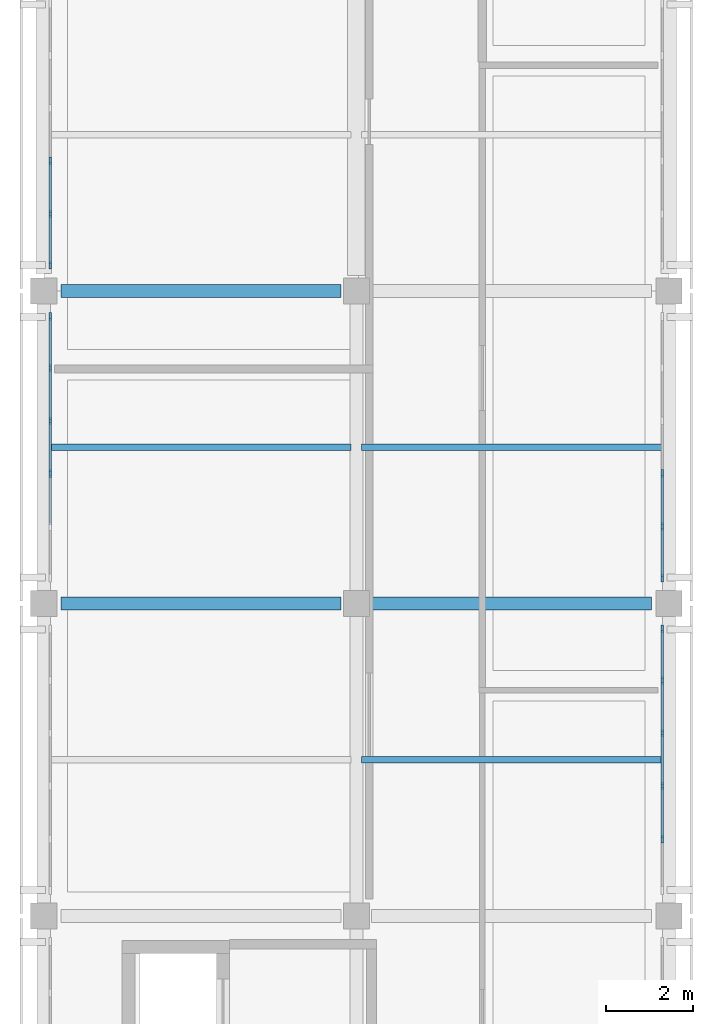
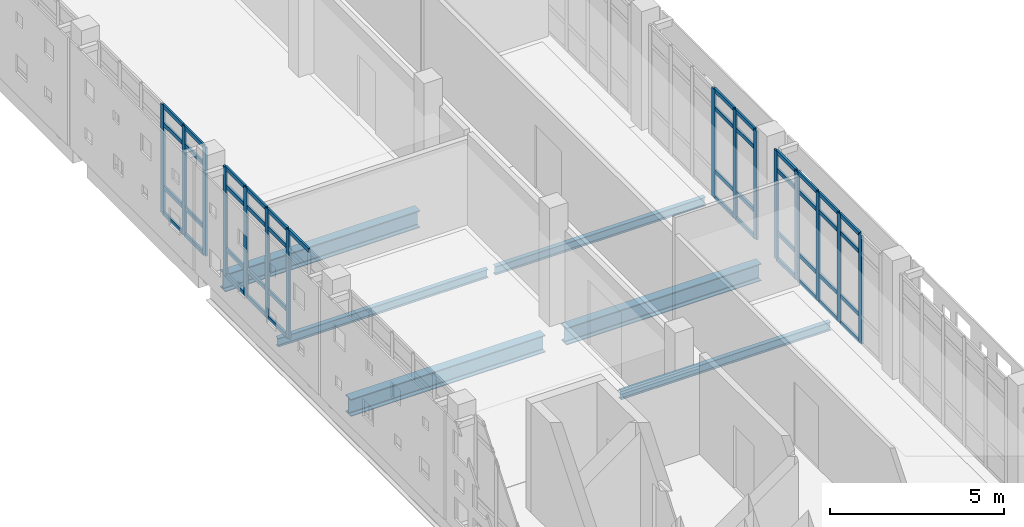
# One storey, part 5 of 21: 60 members, 6 beams, 4 elements without a shape of their own.
"""IFC4 building model written with IfcOpenShell, lengths in metres."""

from ifc_helpers import new_model, si_unit, direction, frame, origin, origin_2d, place, context, subcontext, project, spatial, rectangle, i_section, extrude, material, layer, layer_set, material_profile, profile_set, type_object, element, aggregate, save


model = new_model("IFC4")

# Units and contexts
model_context = context("Model", 3, precision=1e-05, world=origin(), true_north=direction((0.0, 1.0)))
body_context = subcontext(model_context, "Body", "Model", "MODEL_VIEW")
ifc_project = project(units=[si_unit("LENGTHUNIT", "METRE"), si_unit("AREAUNIT", "SQUARE_METRE"), si_unit("VOLUMEUNIT", "CUBIC_METRE"), si_unit("PLANEANGLEUNIT", "RADIAN"), si_unit("MASSUNIT", "GRAM", prefix="KILO")], contexts=[model_context])

# Site, building, storey
site_placement = place(None, origin())
site = spatial("IfcSite", under=ifc_project, at=site_placement, CompositionType="ELEMENT")
building_placement = place(site_placement, origin())
building = spatial("IfcBuilding", under=site, at=building_placement, Name="Valkovuoma Quantum and Materials Research Institute", CompositionType="ELEMENT")
storey_placement = place(building_placement, frame((0.0, 0.0, 29.760009765625)))
storey = spatial("IfcBuildingStorey", under=building, at=storey_placement, Name="L07", CompositionType="ELEMENT", Elevation=29.760009765625)

# Beams
ifc_material_1 = material(Name="Steel S355J2", Category="steel")
ifc_material_profile_1 = material_profile(ifc_material_1, i_section(OverallWidth=0.300048828125, OverallDepth=0.60009765625, WebThickness=0.015380859375, FlangeThickness=0.030029296875, FilletRadius=0.027099609375, at=origin_2d()), Name="Steel S355J2")
ifc_profile_set_1 = profile_set([ifc_material_profile_1], Name="Steel S355J2")
beam_type_1 = type_object("IfcBeamType", Name="Beam-B-HEB600", PredefinedType="BEAM", material=ifc_profile_set_1)
beam_1_placement = place(storey_placement, frame((0.39990234375, 50.39990234375, -0.64990234375), z_axis=(1.0, 0.0, 0.0), x_axis=(0.0, 1.0, 0.0)))
element("IfcBeam", 1, at=beam_1_placement, inside=storey, type_object=beam_type_1, Name="L07 beam X-2496", PredefinedType="BEAM", context=body_context, shape_type="SweptSolid", body=[
    extrude(i_section(OverallWidth=0.300048828125, OverallDepth=0.60009765625, WebThickness=0.015380859375, FlangeThickness=0.030029296875, FilletRadius=0.027099609375, at=origin_2d()), origin(), (0.0, 0.0, 1.0), 6.4501953125),
])
beam_2_placement = place(storey_placement, frame((7.550048828125, 50.39990234375, -0.64990234375), z_axis=(1.0, 0.0, 0.0), x_axis=(0.0, 1.0, 0.0)))
element("IfcBeam", 2, at=beam_2_placement, inside=storey, type_object=beam_type_1, Name="L07 beam X-2497", PredefinedType="BEAM", context=body_context, shape_type="SweptSolid", body=[
    extrude(i_section(OverallWidth=0.300048828125, OverallDepth=0.60009765625, WebThickness=0.015380859375, FlangeThickness=0.030029296875, FilletRadius=0.027099609375, at=origin_2d()), origin(), (0.0, 0.0, 1.0), 6.449951171875),
])
beam_3_placement = place(storey_placement, frame((0.39990234375, 57.60009765625, -0.64990234375), z_axis=(1.0, 0.0, 0.0), x_axis=(0.0, 1.0, 0.0)))
element("IfcBeam", 3, at=beam_3_placement, inside=storey, type_object=beam_type_1, Name="L07 beam X-2498", PredefinedType="BEAM", context=body_context, shape_type="SweptSolid", body=[
    extrude(i_section(OverallWidth=0.300048828125, OverallDepth=0.60009765625, WebThickness=0.015380859375, FlangeThickness=0.030029296875, FilletRadius=0.027099609375, at=origin_2d()), origin(), (0.0, 0.0, 1.0), 6.4501953125),
])
ifc_material_2 = material(Name="Steel S355J2", Category="steel")
ifc_material_profile_2 = material_profile(ifc_material_2, i_section(OverallWidth=0.14990234375, OverallDepth=0.300048828125, WebThickness=0.007080078125, FlangeThickness=0.0107421875, FilletRadius=0.014892578125, at=origin_2d()), Name="Steel S355J2")
ifc_profile_set_2 = profile_set([ifc_material_profile_2], Name="Steel S355J2")
beam_type_2 = type_object("IfcBeamType", Name="Beam-B-JST300", PredefinedType="JOIST", material=ifc_profile_set_2)
for number, where, z_axis, x_axis, name in (
    (4, (7.320068359375, 46.800048828125, -0.5), (1.0, 0.0, 0.0), (0.0, 1.0, 0.0), "L07 floor joist 2523"),
    (5, (0.1201171875, 54.0, -0.5), (1.0, 0.0, 0.0), (0.0, 1.0, 0.0), "L07 floor joist 2524"),
    (6, (7.320068359375, 54.0, -0.5), (1.0, 0.0, 0.0), (0.0, 1.0, 0.0), "L07 floor joist 2525"),
):
    element("IfcBeam", number, at=place(storey_placement, frame(where, z_axis=z_axis, x_axis=x_axis)), inside=storey, type_object=beam_type_2, Name=name, PredefinedType="JOIST", context=body_context, shape_type="SweptSolid", body=[
        extrude(i_section(OverallWidth=0.14990234375, OverallDepth=0.300048828125, WebThickness=0.007080078125, FlangeThickness=0.0107421875, FilletRadius=0.014892578125, at=origin_2d()), origin(), (0.0, 0.0, 1.0), 6.9599609375),
    ])

# Curtain wall, members
ifc_material_3 = material(Name="Thermally broken aluminium and triple low-E glazing", Category="aluminium")
ifc_layer = layer(ifc_material_3, 0.219970703125)
ifc_layer_set = layer_set([ifc_layer], Name="Thermally broken aluminium and triple low-E glazing")
curtain_wall_type = type_object("IfcCurtainWallType", Name="CW-CW-01", PredefinedType="NOTDEFINED", material=ifc_layer_set)
curtain_wall_1_placement = place(storey_placement, origin())
curtain_wall_1 = element("IfcCurtainWall", 7, at=curtain_wall_1_placement, inside=storey, type_object=curtain_wall_type, Name="L07 curtain wall 097", PredefinedType="NOTDEFINED")
ifc_material_4 = material(Name="Anodised aluminium 6060-T66", Category="aluminium")
ifc_material_profile_3 = material_profile(ifc_material_4, rectangle(XDim=0.06494140625, YDim=0.179931640625, at=origin_2d()), Name="Anodised aluminium 6060-T66")
ifc_profile_set_3 = profile_set([ifc_material_profile_3], Name="Anodised aluminium 6060-T66")
member_type_1 = type_object("IfcMemberType", Name="CWMull-CWM-01", PredefinedType="MULLION", material=ifc_profile_set_3)
member_1_placement = place(storey_placement, frame((14.25, 44.974365234375, 0.0), z_axis=(0.0, 0.0, 1.0), x_axis=(-1.0, 0.0, 0.0)))
member_1 = element("IfcMember", 8, at=member_1_placement, type_object=member_type_1, Name="CW-01 mullion 2", PredefinedType="MULLION", context=body_context, shape_type="SweptSolid", body=[
    extrude(rectangle(XDim=0.06494140625, YDim=0.179931640625, at=origin_2d()), origin(), (0.0, 0.0, 1.0), 3.81005859375),
])
member_2_placement = place(storey_placement, frame((14.25, 46.19140625, 0.0), z_axis=(0.0, 0.0, 1.0), x_axis=(-1.0, 0.0, 0.0)))
member_2 = element("IfcMember", 9, at=member_2_placement, type_object=member_type_1, Name="CW-01 mullion 3", PredefinedType="MULLION", context=body_context, shape_type="SweptSolid", body=[
    extrude(rectangle(XDim=0.06494140625, YDim=0.179931640625, at=origin_2d()), origin(), (0.0, 0.0, 1.0), 3.81005859375),
])
member_3_placement = place(storey_placement, frame((14.25, 47.40869140625, 0.0), z_axis=(0.0, 0.0, 1.0), x_axis=(-1.0, 0.0, 0.0)))
member_3 = element("IfcMember", 10, at=member_3_placement, type_object=member_type_1, Name="CW-01 mullion 4", PredefinedType="MULLION", context=body_context, shape_type="SweptSolid", body=[
    extrude(rectangle(XDim=0.06494140625, YDim=0.179931640625, at=origin_2d()), origin(), (0.0, 0.0, 1.0), 3.81005859375),
])
member_4_placement = place(storey_placement, frame((14.25, 48.625732421875, 0.0), z_axis=(0.0, 0.0, 1.0), x_axis=(-1.0, 0.0, 0.0)))
member_4 = element("IfcMember", 11, at=member_4_placement, type_object=member_type_1, Name="CW-01 mullion 5", PredefinedType="MULLION", context=body_context, shape_type="SweptSolid", body=[
    extrude(rectangle(XDim=0.06494140625, YDim=0.179931640625, at=origin_2d()), origin(), (0.0, 0.0, 1.0), 3.81005859375),
])
member_5_placement = place(storey_placement, frame((14.25, 49.810302734375, 0.0), z_axis=(0.0, 0.0, 1.0), x_axis=(-1.0, 0.0, 0.0)))
member_5 = element("IfcMember", 12, at=member_5_placement, type_object=member_type_1, Name="CW-01 mullion 6", PredefinedType="MULLION", context=body_context, shape_type="SweptSolid", body=[
    extrude(rectangle(XDim=0.06494140625, YDim=0.179931640625, at=origin_2d()), origin(), (0.0, 0.0, 1.0), 3.81005859375),
])

curtain_wall_2_placement = place(storey_placement, origin())
curtain_wall_2 = element("IfcCurtainWall", 13, at=curtain_wall_2_placement, inside=storey, type_object=curtain_wall_type, Name="L07 curtain wall 098", PredefinedType="NOTDEFINED")
member_6_placement = place(storey_placement, frame((0.14990234375, 53.391357421875, 0.0), z_axis=(0.0, 0.0, 1.0), x_axis=(-1.0, 0.0, 0.0)))
member_6 = element("IfcMember", 14, at=member_6_placement, type_object=member_type_1, Name="CW-01 mullion 3", PredefinedType="MULLION", context=body_context, shape_type="SweptSolid", body=[
    extrude(rectangle(XDim=0.06494140625, YDim=0.179931640625, at=origin_2d()), origin(), (0.0, 0.0, 1.0), 3.81005859375),
])
member_7_placement = place(storey_placement, frame((0.14990234375, 54.608642578125, 0.0), z_axis=(0.0, 0.0, 1.0), x_axis=(-1.0, 0.0, 0.0)))
member_7 = element("IfcMember", 15, at=member_7_placement, type_object=member_type_1, Name="CW-01 mullion 4", PredefinedType="MULLION", context=body_context, shape_type="SweptSolid", body=[
    extrude(rectangle(XDim=0.06494140625, YDim=0.179931640625, at=origin_2d()), origin(), (0.0, 0.0, 1.0), 3.81005859375),
])
member_8_placement = place(storey_placement, frame((0.14990234375, 55.82568359375, 0.0), z_axis=(0.0, 0.0, 1.0), x_axis=(-1.0, 0.0, 0.0)))
member_8 = element("IfcMember", 16, at=member_8_placement, type_object=member_type_1, Name="CW-01 mullion 5", PredefinedType="MULLION", context=body_context, shape_type="SweptSolid", body=[
    extrude(rectangle(XDim=0.06494140625, YDim=0.179931640625, at=origin_2d()), origin(), (0.0, 0.0, 1.0), 3.81005859375),
])
member_9_placement = place(storey_placement, frame((0.14990234375, 57.010498046875, 0.0), z_axis=(0.0, 0.0, 1.0), x_axis=(-1.0, 0.0, 0.0)))
member_9 = element("IfcMember", 17, at=member_9_placement, type_object=member_type_1, Name="CW-01 mullion 6", PredefinedType="MULLION", context=body_context, shape_type="SweptSolid", body=[
    extrude(rectangle(XDim=0.06494140625, YDim=0.179931640625, at=origin_2d()), origin(), (0.0, 0.0, 1.0), 3.81005859375),
])

curtain_wall_3_placement = place(storey_placement, origin())
curtain_wall_3 = element("IfcCurtainWall", 18, at=curtain_wall_3_placement, inside=storey, type_object=curtain_wall_type, Name="L07 curtain wall 099", PredefinedType="NOTDEFINED")
member_10_placement = place(storey_placement, frame((14.25, 50.989501953125, 0.0), z_axis=(0.0, 0.0, 1.0), x_axis=(-1.0, 0.0, 0.0)))
member_10 = element("IfcMember", 19, at=member_10_placement, type_object=member_type_1, Name="CW-01 mullion 1", PredefinedType="MULLION", context=body_context, shape_type="SweptSolid", body=[
    extrude(rectangle(XDim=0.06494140625, YDim=0.179931640625, at=origin_2d()), origin(), (0.0, 0.0, 1.0), 3.81005859375),
])
member_11_placement = place(storey_placement, frame((14.25, 52.17431640625, 0.0), z_axis=(0.0, 0.0, 1.0), x_axis=(-1.0, 0.0, 0.0)))
member_11 = element("IfcMember", 20, at=member_11_placement, type_object=member_type_1, Name="CW-01 mullion 2", PredefinedType="MULLION", context=body_context, shape_type="SweptSolid", body=[
    extrude(rectangle(XDim=0.06494140625, YDim=0.179931640625, at=origin_2d()), origin(), (0.0, 0.0, 1.0), 3.81005859375),
])
member_12_placement = place(storey_placement, frame((14.25, 53.391357421875, 0.0), z_axis=(0.0, 0.0, 1.0), x_axis=(-1.0, 0.0, 0.0)))
member_12 = element("IfcMember", 21, at=member_12_placement, type_object=member_type_1, Name="CW-01 mullion 3", PredefinedType="MULLION", context=body_context, shape_type="SweptSolid", body=[
    extrude(rectangle(XDim=0.06494140625, YDim=0.179931640625, at=origin_2d()), origin(), (0.0, 0.0, 1.0), 3.81005859375),
])

curtain_wall_4_placement = place(storey_placement, origin())
curtain_wall_4 = element("IfcCurtainWall", 22, at=curtain_wall_4_placement, inside=storey, type_object=curtain_wall_type, Name="L07 curtain wall 100", PredefinedType="NOTDEFINED")
member_13_placement = place(storey_placement, frame((0.14990234375, 58.189697265625, 0.0), z_axis=(0.0, 0.0, 1.0), x_axis=(-1.0, 0.0, 0.0)))
member_13 = element("IfcMember", 23, at=member_13_placement, type_object=member_type_1, Name="CW-01 mullion 1", PredefinedType="MULLION", context=body_context, shape_type="SweptSolid", body=[
    extrude(rectangle(XDim=0.06494140625, YDim=0.179931640625, at=origin_2d()), origin(), (0.0, 0.0, 1.0), 3.81005859375),
])
member_14_placement = place(storey_placement, frame((0.14990234375, 59.374267578125, 0.0), z_axis=(0.0, 0.0, 1.0), x_axis=(-1.0, 0.0, 0.0)))
member_14 = element("IfcMember", 24, at=member_14_placement, type_object=member_type_1, Name="CW-01 mullion 2", PredefinedType="MULLION", context=body_context, shape_type="SweptSolid", body=[
    extrude(rectangle(XDim=0.06494140625, YDim=0.179931640625, at=origin_2d()), origin(), (0.0, 0.0, 1.0), 3.81005859375),
])
member_15_placement = place(storey_placement, frame((0.14990234375, 60.59130859375, 0.0), z_axis=(0.0, 0.0, 1.0), x_axis=(-1.0, 0.0, 0.0)))
member_15 = element("IfcMember", 25, at=member_15_placement, type_object=member_type_1, Name="CW-01 mullion 3", PredefinedType="MULLION", context=body_context, shape_type="SweptSolid", body=[
    extrude(rectangle(XDim=0.06494140625, YDim=0.179931640625, at=origin_2d()), origin(), (0.0, 0.0, 1.0), 3.81005859375),
])

# Member
ifc_material_5 = material(Name="Anodised aluminium 6060-T66", Category="aluminium")
ifc_material_profile_4 = material_profile(ifc_material_5, rectangle(XDim=0.06494140625, YDim=0.139892578125, at=origin_2d()), Name="Anodised aluminium 6060-T66")
ifc_profile_set_4 = profile_set([ifc_material_profile_4], Name="Anodised aluminium 6060-T66")
member_type_2 = type_object("IfcMemberType", Name="CWTran-CWT-01", PredefinedType="USERDEFINED", material=ifc_profile_set_4)
member_16_placement = place(storey_placement, frame((14.25, 45.0068359375, 0.032470703125), z_axis=(0.0, 1.0, 0.0), x_axis=(-1.0, 0.0, 0.0)))
member_16 = element("IfcMember", 26, at=member_16_placement, type_object=member_type_2, Name="CW-01 transom 2.1", ObjectType="TRANSOM", PredefinedType="USERDEFINED", context=body_context, shape_type="SweptSolid", body=[
    extrude(rectangle(XDim=0.06494140625, YDim=0.139892578125, at=origin_2d()), origin(), (0.0, 0.0, 1.0), 1.152099609375),
])

member_17_placement = place(storey_placement, frame((14.25, 45.0068359375, 0.949951171875), z_axis=(0.0, 1.0, 0.0), x_axis=(-1.0, 0.0, 0.0)))
member_17 = element("IfcMember", 27, at=member_17_placement, type_object=member_type_2, Name="CW-01 transom 2.2", ObjectType="TRANSOM", PredefinedType="USERDEFINED", context=body_context, shape_type="SweptSolid", body=[
    extrude(rectangle(XDim=0.06494140625, YDim=0.139892578125, at=origin_2d()), origin(), (0.0, 0.0, 1.0), 1.152099609375),
])

member_18_placement = place(storey_placement, frame((14.25, 45.0068359375, 3.159912109375), z_axis=(0.0, 1.0, 0.0), x_axis=(-1.0, 0.0, 0.0)))
member_18 = element("IfcMember", 28, at=member_18_placement, type_object=member_type_2, Name="CW-01 transom 2.3", ObjectType="TRANSOM", PredefinedType="USERDEFINED", context=body_context, shape_type="SweptSolid", body=[
    extrude(rectangle(XDim=0.06494140625, YDim=0.139892578125, at=origin_2d()), origin(), (0.0, 0.0, 1.0), 1.152099609375),
])

member_19_placement = place(storey_placement, frame((14.25, 45.0068359375, 3.777587890625), z_axis=(0.0, 1.0, 0.0), x_axis=(-1.0, 0.0, 0.0)))
member_19 = element("IfcMember", 29, at=member_19_placement, type_object=member_type_2, Name="CW-01 transom 2.4", ObjectType="TRANSOM", PredefinedType="USERDEFINED", context=body_context, shape_type="SweptSolid", body=[
    extrude(rectangle(XDim=0.06494140625, YDim=0.139892578125, at=origin_2d()), origin(), (0.0, 0.0, 1.0), 1.152099609375),
])

member_20_placement = place(storey_placement, frame((14.25, 46.223876953125, 0.032470703125), z_axis=(0.0, 1.0, 0.0), x_axis=(-1.0, 0.0, 0.0)))
member_20 = element("IfcMember", 30, at=member_20_placement, type_object=member_type_2, Name="CW-01 transom 3.1", ObjectType="TRANSOM", PredefinedType="USERDEFINED", context=body_context, shape_type="SweptSolid", body=[
    extrude(rectangle(XDim=0.06494140625, YDim=0.139892578125, at=origin_2d()), origin(), (0.0, 0.0, 1.0), 1.152099609375),
])

member_21_placement = place(storey_placement, frame((14.25, 46.223876953125, 0.949951171875), z_axis=(0.0, 1.0, 0.0), x_axis=(-1.0, 0.0, 0.0)))
member_21 = element("IfcMember", 31, at=member_21_placement, type_object=member_type_2, Name="CW-01 transom 3.2", ObjectType="TRANSOM", PredefinedType="USERDEFINED", context=body_context, shape_type="SweptSolid", body=[
    extrude(rectangle(XDim=0.06494140625, YDim=0.139892578125, at=origin_2d()), origin(), (0.0, 0.0, 1.0), 1.152099609375),
])

member_22_placement = place(storey_placement, frame((14.25, 46.223876953125, 3.159912109375), z_axis=(0.0, 1.0, 0.0), x_axis=(-1.0, 0.0, 0.0)))
member_22 = element("IfcMember", 32, at=member_22_placement, type_object=member_type_2, Name="CW-01 transom 3.3", ObjectType="TRANSOM", PredefinedType="USERDEFINED", context=body_context, shape_type="SweptSolid", body=[
    extrude(rectangle(XDim=0.06494140625, YDim=0.139892578125, at=origin_2d()), origin(), (0.0, 0.0, 1.0), 1.152099609375),
])

member_23_placement = place(storey_placement, frame((14.25, 46.223876953125, 3.777587890625), z_axis=(0.0, 1.0, 0.0), x_axis=(-1.0, 0.0, 0.0)))
member_23 = element("IfcMember", 33, at=member_23_placement, type_object=member_type_2, Name="CW-01 transom 3.4", ObjectType="TRANSOM", PredefinedType="USERDEFINED", context=body_context, shape_type="SweptSolid", body=[
    extrude(rectangle(XDim=0.06494140625, YDim=0.139892578125, at=origin_2d()), origin(), (0.0, 0.0, 1.0), 1.152099609375),
])

member_24_placement = place(storey_placement, frame((14.25, 47.441162109375, 0.032470703125), z_axis=(0.0, 1.0, 0.0), x_axis=(-1.0, 0.0, 0.0)))
member_24 = element("IfcMember", 34, at=member_24_placement, type_object=member_type_2, Name="CW-01 transom 4.1", ObjectType="TRANSOM", PredefinedType="USERDEFINED", context=body_context, shape_type="SweptSolid", body=[
    extrude(rectangle(XDim=0.06494140625, YDim=0.139892578125, at=origin_2d()), origin(), (0.0, 0.0, 1.0), 1.152099609375),
])

member_25_placement = place(storey_placement, frame((14.25, 47.441162109375, 0.949951171875), z_axis=(0.0, 1.0, 0.0), x_axis=(-1.0, 0.0, 0.0)))
member_25 = element("IfcMember", 35, at=member_25_placement, type_object=member_type_2, Name="CW-01 transom 4.2", ObjectType="TRANSOM", PredefinedType="USERDEFINED", context=body_context, shape_type="SweptSolid", body=[
    extrude(rectangle(XDim=0.06494140625, YDim=0.139892578125, at=origin_2d()), origin(), (0.0, 0.0, 1.0), 1.152099609375),
])

member_26_placement = place(storey_placement, frame((14.25, 47.441162109375, 3.159912109375), z_axis=(0.0, 1.0, 0.0), x_axis=(-1.0, 0.0, 0.0)))
member_26 = element("IfcMember", 36, at=member_26_placement, type_object=member_type_2, Name="CW-01 transom 4.3", ObjectType="TRANSOM", PredefinedType="USERDEFINED", context=body_context, shape_type="SweptSolid", body=[
    extrude(rectangle(XDim=0.06494140625, YDim=0.139892578125, at=origin_2d()), origin(), (0.0, 0.0, 1.0), 1.152099609375),
])

member_27_placement = place(storey_placement, frame((14.25, 47.441162109375, 3.777587890625), z_axis=(0.0, 1.0, 0.0), x_axis=(-1.0, 0.0, 0.0)))
member_27 = element("IfcMember", 37, at=member_27_placement, type_object=member_type_2, Name="CW-01 transom 4.4", ObjectType="TRANSOM", PredefinedType="USERDEFINED", context=body_context, shape_type="SweptSolid", body=[
    extrude(rectangle(XDim=0.06494140625, YDim=0.139892578125, at=origin_2d()), origin(), (0.0, 0.0, 1.0), 1.152099609375),
])

member_28_placement = place(storey_placement, frame((14.25, 48.658203125, 0.032470703125), z_axis=(0.0, 1.0, 0.0), x_axis=(-1.0, 0.0, 0.0)))
member_28 = element("IfcMember", 38, at=member_28_placement, type_object=member_type_2, Name="CW-01 transom 5.1", ObjectType="TRANSOM", PredefinedType="USERDEFINED", context=body_context, shape_type="SweptSolid", body=[
    extrude(rectangle(XDim=0.06494140625, YDim=0.139892578125, at=origin_2d()), origin(), (0.0, 0.0, 1.0), 1.11962890625),
])

member_29_placement = place(storey_placement, frame((14.25, 48.658203125, 0.949951171875), z_axis=(0.0, 1.0, 0.0), x_axis=(-1.0, 0.0, 0.0)))
member_29 = element("IfcMember", 39, at=member_29_placement, type_object=member_type_2, Name="CW-01 transom 5.2", ObjectType="TRANSOM", PredefinedType="USERDEFINED", context=body_context, shape_type="SweptSolid", body=[
    extrude(rectangle(XDim=0.06494140625, YDim=0.139892578125, at=origin_2d()), origin(), (0.0, 0.0, 1.0), 1.11962890625),
])

member_30_placement = place(storey_placement, frame((14.25, 48.658203125, 3.159912109375), z_axis=(0.0, 1.0, 0.0), x_axis=(-1.0, 0.0, 0.0)))
member_30 = element("IfcMember", 40, at=member_30_placement, type_object=member_type_2, Name="CW-01 transom 5.3", ObjectType="TRANSOM", PredefinedType="USERDEFINED", context=body_context, shape_type="SweptSolid", body=[
    extrude(rectangle(XDim=0.06494140625, YDim=0.139892578125, at=origin_2d()), origin(), (0.0, 0.0, 1.0), 1.11962890625),
])

member_31_placement = place(storey_placement, frame((14.25, 48.658203125, 3.777587890625), z_axis=(0.0, 1.0, 0.0), x_axis=(-1.0, 0.0, 0.0)))
member_31 = element("IfcMember", 41, at=member_31_placement, type_object=member_type_2, Name="CW-01 transom 5.4", ObjectType="TRANSOM", PredefinedType="USERDEFINED", context=body_context, shape_type="SweptSolid", body=[
    extrude(rectangle(XDim=0.06494140625, YDim=0.139892578125, at=origin_2d()), origin(), (0.0, 0.0, 1.0), 1.11962890625),
])

aggregate(curtain_wall_1, [member_1, member_2, member_3, member_4, member_5, member_16, member_17, member_18, member_19, member_20, member_21, member_22, member_23, member_24, member_25, member_26, member_27, member_28, member_29, member_30, member_31])

member_32_placement = place(storey_placement, frame((0.14990234375, 52.206787109375, 3.777587890625), z_axis=(0.0, 1.0, 0.0), x_axis=(-1.0, 0.0, 0.0)))
member_32 = element("IfcMember", 42, at=member_32_placement, type_object=member_type_2, Name="CW-01 transom 2.4", ObjectType="TRANSOM", PredefinedType="USERDEFINED", context=body_context, shape_type="SweptSolid", body=[
    extrude(rectangle(XDim=0.06494140625, YDim=0.139892578125, at=origin_2d()), origin(), (0.0, 0.0, 1.0), 1.152099609375),
])

member_33_placement = place(storey_placement, frame((0.14990234375, 53.423828125, 0.032470703125), z_axis=(0.0, 1.0, 0.0), x_axis=(-1.0, 0.0, 0.0)))
member_33 = element("IfcMember", 43, at=member_33_placement, type_object=member_type_2, Name="CW-01 transom 3.1", ObjectType="TRANSOM", PredefinedType="USERDEFINED", context=body_context, shape_type="SweptSolid", body=[
    extrude(rectangle(XDim=0.06494140625, YDim=0.139892578125, at=origin_2d()), origin(), (0.0, 0.0, 1.0), 1.15234375),
])

member_34_placement = place(storey_placement, frame((0.14990234375, 53.423828125, 0.949951171875), z_axis=(0.0, 1.0, 0.0), x_axis=(-1.0, 0.0, 0.0)))
member_34 = element("IfcMember", 44, at=member_34_placement, type_object=member_type_2, Name="CW-01 transom 3.2", ObjectType="TRANSOM", PredefinedType="USERDEFINED", context=body_context, shape_type="SweptSolid", body=[
    extrude(rectangle(XDim=0.06494140625, YDim=0.139892578125, at=origin_2d()), origin(), (0.0, 0.0, 1.0), 1.15234375),
])

member_35_placement = place(storey_placement, frame((0.14990234375, 53.423828125, 3.159912109375), z_axis=(0.0, 1.0, 0.0), x_axis=(-1.0, 0.0, 0.0)))
member_35 = element("IfcMember", 45, at=member_35_placement, type_object=member_type_2, Name="CW-01 transom 3.3", ObjectType="TRANSOM", PredefinedType="USERDEFINED", context=body_context, shape_type="SweptSolid", body=[
    extrude(rectangle(XDim=0.06494140625, YDim=0.139892578125, at=origin_2d()), origin(), (0.0, 0.0, 1.0), 1.15234375),
])

member_36_placement = place(storey_placement, frame((0.14990234375, 53.423828125, 3.777587890625), z_axis=(0.0, 1.0, 0.0), x_axis=(-1.0, 0.0, 0.0)))
member_36 = element("IfcMember", 46, at=member_36_placement, type_object=member_type_2, Name="CW-01 transom 3.4", ObjectType="TRANSOM", PredefinedType="USERDEFINED", context=body_context, shape_type="SweptSolid", body=[
    extrude(rectangle(XDim=0.06494140625, YDim=0.139892578125, at=origin_2d()), origin(), (0.0, 0.0, 1.0), 1.15234375),
])

member_37_placement = place(storey_placement, frame((0.14990234375, 54.64111328125, 0.032470703125), z_axis=(0.0, 1.0, 0.0), x_axis=(-1.0, 0.0, 0.0)))
member_37 = element("IfcMember", 47, at=member_37_placement, type_object=member_type_2, Name="CW-01 transom 4.1", ObjectType="TRANSOM", PredefinedType="USERDEFINED", context=body_context, shape_type="SweptSolid", body=[
    extrude(rectangle(XDim=0.06494140625, YDim=0.139892578125, at=origin_2d()), origin(), (0.0, 0.0, 1.0), 1.152099609375),
])

member_38_placement = place(storey_placement, frame((0.14990234375, 54.64111328125, 0.949951171875), z_axis=(0.0, 1.0, 0.0), x_axis=(-1.0, 0.0, 0.0)))
member_38 = element("IfcMember", 48, at=member_38_placement, type_object=member_type_2, Name="CW-01 transom 4.2", ObjectType="TRANSOM", PredefinedType="USERDEFINED", context=body_context, shape_type="SweptSolid", body=[
    extrude(rectangle(XDim=0.06494140625, YDim=0.139892578125, at=origin_2d()), origin(), (0.0, 0.0, 1.0), 1.152099609375),
])

member_39_placement = place(storey_placement, frame((0.14990234375, 54.64111328125, 3.159912109375), z_axis=(0.0, 1.0, 0.0), x_axis=(-1.0, 0.0, 0.0)))
member_39 = element("IfcMember", 49, at=member_39_placement, type_object=member_type_2, Name="CW-01 transom 4.3", ObjectType="TRANSOM", PredefinedType="USERDEFINED", context=body_context, shape_type="SweptSolid", body=[
    extrude(rectangle(XDim=0.06494140625, YDim=0.139892578125, at=origin_2d()), origin(), (0.0, 0.0, 1.0), 1.152099609375),
])

member_40_placement = place(storey_placement, frame((0.14990234375, 54.64111328125, 3.777587890625), z_axis=(0.0, 1.0, 0.0), x_axis=(-1.0, 0.0, 0.0)))
member_40 = element("IfcMember", 50, at=member_40_placement, type_object=member_type_2, Name="CW-01 transom 4.4", ObjectType="TRANSOM", PredefinedType="USERDEFINED", context=body_context, shape_type="SweptSolid", body=[
    extrude(rectangle(XDim=0.06494140625, YDim=0.139892578125, at=origin_2d()), origin(), (0.0, 0.0, 1.0), 1.152099609375),
])

member_41_placement = place(storey_placement, frame((0.14990234375, 55.858154296875, 0.032470703125), z_axis=(0.0, 1.0, 0.0), x_axis=(-1.0, 0.0, 0.0)))
member_41 = element("IfcMember", 51, at=member_41_placement, type_object=member_type_2, Name="CW-01 transom 5.1", ObjectType="TRANSOM", PredefinedType="USERDEFINED", context=body_context, shape_type="SweptSolid", body=[
    extrude(rectangle(XDim=0.06494140625, YDim=0.139892578125, at=origin_2d()), origin(), (0.0, 0.0, 1.0), 1.11962890625),
])

member_42_placement = place(storey_placement, frame((0.14990234375, 55.858154296875, 0.949951171875), z_axis=(0.0, 1.0, 0.0), x_axis=(-1.0, 0.0, 0.0)))
member_42 = element("IfcMember", 52, at=member_42_placement, type_object=member_type_2, Name="CW-01 transom 5.2", ObjectType="TRANSOM", PredefinedType="USERDEFINED", context=body_context, shape_type="SweptSolid", body=[
    extrude(rectangle(XDim=0.06494140625, YDim=0.139892578125, at=origin_2d()), origin(), (0.0, 0.0, 1.0), 1.11962890625),
])

member_43_placement = place(storey_placement, frame((0.14990234375, 55.858154296875, 3.159912109375), z_axis=(0.0, 1.0, 0.0), x_axis=(-1.0, 0.0, 0.0)))
member_43 = element("IfcMember", 53, at=member_43_placement, type_object=member_type_2, Name="CW-01 transom 5.3", ObjectType="TRANSOM", PredefinedType="USERDEFINED", context=body_context, shape_type="SweptSolid", body=[
    extrude(rectangle(XDim=0.06494140625, YDim=0.139892578125, at=origin_2d()), origin(), (0.0, 0.0, 1.0), 1.11962890625),
])

member_44_placement = place(storey_placement, frame((0.14990234375, 55.858154296875, 3.777587890625), z_axis=(0.0, 1.0, 0.0), x_axis=(-1.0, 0.0, 0.0)))
member_44 = element("IfcMember", 54, at=member_44_placement, type_object=member_type_2, Name="CW-01 transom 5.4", ObjectType="TRANSOM", PredefinedType="USERDEFINED", context=body_context, shape_type="SweptSolid", body=[
    extrude(rectangle(XDim=0.06494140625, YDim=0.139892578125, at=origin_2d()), origin(), (0.0, 0.0, 1.0), 1.11962890625),
])

aggregate(curtain_wall_2, [member_6, member_7, member_8, member_9, member_32, member_33, member_34, member_35, member_36, member_37, member_38, member_39, member_40, member_41, member_42, member_43, member_44])

member_45_placement = place(storey_placement, frame((14.25, 51.022216796875, 0.032470703125), z_axis=(0.0, 1.0, 0.0), x_axis=(-1.0, 0.0, 0.0)))
member_45 = element("IfcMember", 55, at=member_45_placement, type_object=member_type_2, Name="CW-01 transom 1.1", ObjectType="TRANSOM", PredefinedType="USERDEFINED", context=body_context, shape_type="SweptSolid", body=[
    extrude(rectangle(XDim=0.06494140625, YDim=0.139892578125, at=origin_2d()), origin(), (0.0, 0.0, 1.0), 1.11962890625),
])

member_46_placement = place(storey_placement, frame((14.25, 51.022216796875, 0.949951171875), z_axis=(0.0, 1.0, 0.0), x_axis=(-1.0, 0.0, 0.0)))
member_46 = element("IfcMember", 56, at=member_46_placement, type_object=member_type_2, Name="CW-01 transom 1.2", ObjectType="TRANSOM", PredefinedType="USERDEFINED", context=body_context, shape_type="SweptSolid", body=[
    extrude(rectangle(XDim=0.06494140625, YDim=0.139892578125, at=origin_2d()), origin(), (0.0, 0.0, 1.0), 1.11962890625),
])

member_47_placement = place(storey_placement, frame((14.25, 51.022216796875, 3.159912109375), z_axis=(0.0, 1.0, 0.0), x_axis=(-1.0, 0.0, 0.0)))
member_47 = element("IfcMember", 57, at=member_47_placement, type_object=member_type_2, Name="CW-01 transom 1.3", ObjectType="TRANSOM", PredefinedType="USERDEFINED", context=body_context, shape_type="SweptSolid", body=[
    extrude(rectangle(XDim=0.06494140625, YDim=0.139892578125, at=origin_2d()), origin(), (0.0, 0.0, 1.0), 1.11962890625),
])

member_48_placement = place(storey_placement, frame((14.25, 51.022216796875, 3.777587890625), z_axis=(0.0, 1.0, 0.0), x_axis=(-1.0, 0.0, 0.0)))
member_48 = element("IfcMember", 58, at=member_48_placement, type_object=member_type_2, Name="CW-01 transom 1.4", ObjectType="TRANSOM", PredefinedType="USERDEFINED", context=body_context, shape_type="SweptSolid", body=[
    extrude(rectangle(XDim=0.06494140625, YDim=0.139892578125, at=origin_2d()), origin(), (0.0, 0.0, 1.0), 1.11962890625),
])

member_49_placement = place(storey_placement, frame((14.25, 52.206787109375, 0.032470703125), z_axis=(0.0, 1.0, 0.0), x_axis=(-1.0, 0.0, 0.0)))
member_49 = element("IfcMember", 59, at=member_49_placement, type_object=member_type_2, Name="CW-01 transom 2.1", ObjectType="TRANSOM", PredefinedType="USERDEFINED", context=body_context, shape_type="SweptSolid", body=[
    extrude(rectangle(XDim=0.06494140625, YDim=0.139892578125, at=origin_2d()), origin(), (0.0, 0.0, 1.0), 1.152099609375),
])

member_50_placement = place(storey_placement, frame((14.25, 52.206787109375, 0.949951171875), z_axis=(0.0, 1.0, 0.0), x_axis=(-1.0, 0.0, 0.0)))
member_50 = element("IfcMember", 60, at=member_50_placement, type_object=member_type_2, Name="CW-01 transom 2.2", ObjectType="TRANSOM", PredefinedType="USERDEFINED", context=body_context, shape_type="SweptSolid", body=[
    extrude(rectangle(XDim=0.06494140625, YDim=0.139892578125, at=origin_2d()), origin(), (0.0, 0.0, 1.0), 1.152099609375),
])

member_51_placement = place(storey_placement, frame((14.25, 52.206787109375, 3.159912109375), z_axis=(0.0, 1.0, 0.0), x_axis=(-1.0, 0.0, 0.0)))
member_51 = element("IfcMember", 61, at=member_51_placement, type_object=member_type_2, Name="CW-01 transom 2.3", ObjectType="TRANSOM", PredefinedType="USERDEFINED", context=body_context, shape_type="SweptSolid", body=[
    extrude(rectangle(XDim=0.06494140625, YDim=0.139892578125, at=origin_2d()), origin(), (0.0, 0.0, 1.0), 1.152099609375),
])

member_52_placement = place(storey_placement, frame((14.25, 52.206787109375, 3.777587890625), z_axis=(0.0, 1.0, 0.0), x_axis=(-1.0, 0.0, 0.0)))
member_52 = element("IfcMember", 62, at=member_52_placement, type_object=member_type_2, Name="CW-01 transom 2.4", ObjectType="TRANSOM", PredefinedType="USERDEFINED", context=body_context, shape_type="SweptSolid", body=[
    extrude(rectangle(XDim=0.06494140625, YDim=0.139892578125, at=origin_2d()), origin(), (0.0, 0.0, 1.0), 1.152099609375),
])

aggregate(curtain_wall_3, [member_10, member_11, member_12, member_45, member_46, member_47, member_48, member_49, member_50, member_51, member_52])

member_53_placement = place(storey_placement, frame((0.14990234375, 58.22216796875, 0.032470703125), z_axis=(0.0, 1.0, 0.0), x_axis=(-1.0, 0.0, 0.0)))
member_53 = element("IfcMember", 63, at=member_53_placement, type_object=member_type_2, Name="CW-01 transom 1.1", ObjectType="TRANSOM", PredefinedType="USERDEFINED", context=body_context, shape_type="SweptSolid", body=[
    extrude(rectangle(XDim=0.06494140625, YDim=0.139892578125, at=origin_2d()), origin(), (0.0, 0.0, 1.0), 1.11962890625),
])

member_54_placement = place(storey_placement, frame((0.14990234375, 58.22216796875, 0.949951171875), z_axis=(0.0, 1.0, 0.0), x_axis=(-1.0, 0.0, 0.0)))
member_54 = element("IfcMember", 64, at=member_54_placement, type_object=member_type_2, Name="CW-01 transom 1.2", ObjectType="TRANSOM", PredefinedType="USERDEFINED", context=body_context, shape_type="SweptSolid", body=[
    extrude(rectangle(XDim=0.06494140625, YDim=0.139892578125, at=origin_2d()), origin(), (0.0, 0.0, 1.0), 1.11962890625),
])

member_55_placement = place(storey_placement, frame((0.14990234375, 58.22216796875, 3.159912109375), z_axis=(0.0, 1.0, 0.0), x_axis=(-1.0, 0.0, 0.0)))
member_55 = element("IfcMember", 65, at=member_55_placement, type_object=member_type_2, Name="CW-01 transom 1.3", ObjectType="TRANSOM", PredefinedType="USERDEFINED", context=body_context, shape_type="SweptSolid", body=[
    extrude(rectangle(XDim=0.06494140625, YDim=0.139892578125, at=origin_2d()), origin(), (0.0, 0.0, 1.0), 1.11962890625),
])

member_56_placement = place(storey_placement, frame((0.14990234375, 58.22216796875, 3.777587890625), z_axis=(0.0, 1.0, 0.0), x_axis=(-1.0, 0.0, 0.0)))
member_56 = element("IfcMember", 66, at=member_56_placement, type_object=member_type_2, Name="CW-01 transom 1.4", ObjectType="TRANSOM", PredefinedType="USERDEFINED", context=body_context, shape_type="SweptSolid", body=[
    extrude(rectangle(XDim=0.06494140625, YDim=0.139892578125, at=origin_2d()), origin(), (0.0, 0.0, 1.0), 1.11962890625),
])

member_57_placement = place(storey_placement, frame((0.14990234375, 59.40673828125, 0.032470703125), z_axis=(0.0, 1.0, 0.0), x_axis=(-1.0, 0.0, 0.0)))
member_57 = element("IfcMember", 67, at=member_57_placement, type_object=member_type_2, Name="CW-01 transom 2.1", ObjectType="TRANSOM", PredefinedType="USERDEFINED", context=body_context, shape_type="SweptSolid", body=[
    extrude(rectangle(XDim=0.06494140625, YDim=0.139892578125, at=origin_2d()), origin(), (0.0, 0.0, 1.0), 1.152099609375),
])

member_58_placement = place(storey_placement, frame((0.14990234375, 59.40673828125, 0.949951171875), z_axis=(0.0, 1.0, 0.0), x_axis=(-1.0, 0.0, 0.0)))
member_58 = element("IfcMember", 68, at=member_58_placement, type_object=member_type_2, Name="CW-01 transom 2.2", ObjectType="TRANSOM", PredefinedType="USERDEFINED", context=body_context, shape_type="SweptSolid", body=[
    extrude(rectangle(XDim=0.06494140625, YDim=0.139892578125, at=origin_2d()), origin(), (0.0, 0.0, 1.0), 1.152099609375),
])

member_59_placement = place(storey_placement, frame((0.14990234375, 59.40673828125, 3.159912109375), z_axis=(0.0, 1.0, 0.0), x_axis=(-1.0, 0.0, 0.0)))
member_59 = element("IfcMember", 69, at=member_59_placement, type_object=member_type_2, Name="CW-01 transom 2.3", ObjectType="TRANSOM", PredefinedType="USERDEFINED", context=body_context, shape_type="SweptSolid", body=[
    extrude(rectangle(XDim=0.06494140625, YDim=0.139892578125, at=origin_2d()), origin(), (0.0, 0.0, 1.0), 1.152099609375),
])

member_60_placement = place(storey_placement, frame((0.14990234375, 59.40673828125, 3.777587890625), z_axis=(0.0, 1.0, 0.0), x_axis=(-1.0, 0.0, 0.0)))
member_60 = element("IfcMember", 70, at=member_60_placement, type_object=member_type_2, Name="CW-01 transom 2.4", ObjectType="TRANSOM", PredefinedType="USERDEFINED", context=body_context, shape_type="SweptSolid", body=[
    extrude(rectangle(XDim=0.06494140625, YDim=0.139892578125, at=origin_2d()), origin(), (0.0, 0.0, 1.0), 1.152099609375),
])

aggregate(curtain_wall_4, [member_13, member_14, member_15, member_53, member_54, member_55, member_56, member_57, member_58, member_59, member_60])

save(model, "model.ifc")
